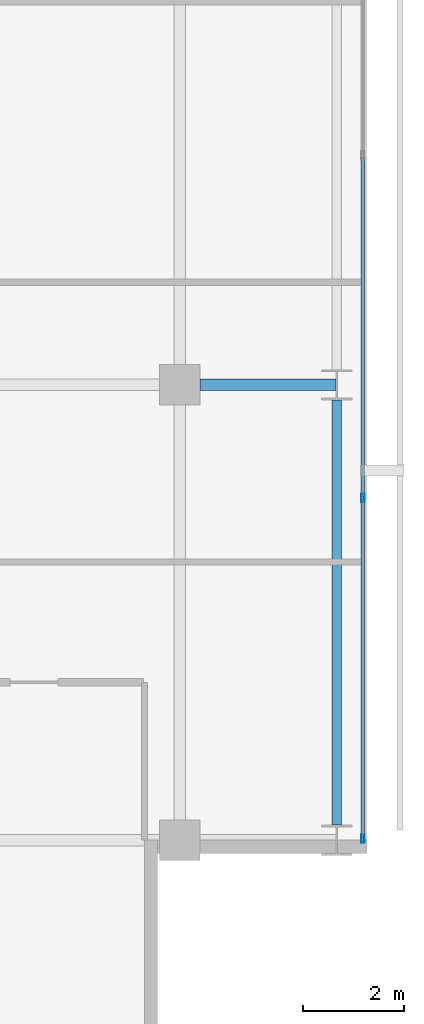
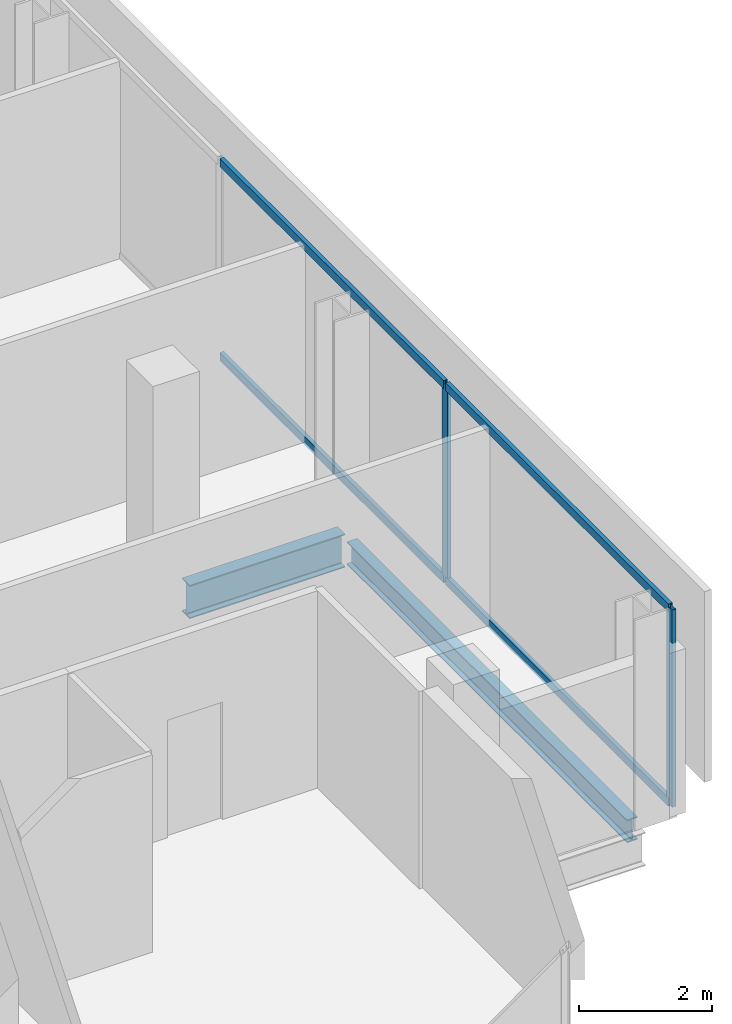
# One storey, part 15 of 33: 6 members, 2 beams, 1 element without a shape of its own.
"""IFC4 building model written with IfcOpenShell, lengths in metres."""

import ifcopenshell
import ifcopenshell.guid

model = None  # the IFC model being written
_history = None  # IfcOwnerHistory: only IFC2X3 demands one
_inside = {}  # id of a spatial element -> (the spatial element, [elements in it])
_under = {}  # id of a project, library or spatial element -> (it, [spatial elements below it])
_declared = {}  # id of a project -> (the project, [libraries it declares])
_typed = {}  # id of a type object -> (the type object, [elements of that type])
_made_of = {}  # id of a material, layer set ... -> (it, [elements and type objects made of it])


def new_model(schema):
    """Start an empty IFC model of exactly this schema.

    Asked for "IFC4X3", IfcOpenShell would pick the latest addendum, in which some entities
    have other attributes; the version numbers below select the first issue.
    IFC2X3 requires an IfcOwnerHistory on every rooted entity: one is made here for all.
    """
    global model, _history
    if schema == "IFC4X3":
        model = ifcopenshell.file(schema_version=(4, 3, 0, 0))
    else:
        model = ifcopenshell.file(schema=schema)
    _inside.clear()
    _under.clear()
    _declared.clear()
    _typed.clear()
    _made_of.clear()
    _history = None
    if model.schema == "IFC2X3":
        org = make("IfcOrganization", Name="unknown")
        user = make(
            "IfcPersonAndOrganization",
            ThePerson=make("IfcPerson", FamilyName="unknown"),
            TheOrganization=org,
        )
        app = make(
            "IfcApplication",
            ApplicationDeveloper=org,
            Version="unknown",
            ApplicationFullName="unknown",
            ApplicationIdentifier="unknown",
        )
        _history = make(
            "IfcOwnerHistory",
            OwningUser=user,
            OwningApplication=app,
            ChangeAction="ADDED",
            CreationDate=0,
        )
    return model


def make(cls, **values):
    """One entity of the class cls with the attributes given. An attribute that is None is left unset."""
    return model.create_entity(
        cls, **{name: value for name, value in values.items() if value is not None}
    )


def rooted(cls, **values):
    """An entity with a GlobalId (a new one), such as an element, a storey or a relation."""
    return make(cls, GlobalId=ifcopenshell.guid.new(), OwnerHistory=_history, **values)


def si_unit(unit_type, name, prefix=None):
    """IfcSIUnit, for example si_unit("LENGTHUNIT", "METRE", prefix="MILLI")."""
    return make("IfcSIUnit", UnitType=unit_type, Prefix=prefix, Name=name)


def assignment(units):
    """IfcUnitAssignment: the units of a project."""
    return None if units is None else make("IfcUnitAssignment", Units=units)


def point(xyz):
    """IfcCartesianPoint."""
    return None if xyz is None else make("IfcCartesianPoint", Coordinates=xyz)


def direction(xyz):
    """IfcDirection."""
    return None if xyz is None else make("IfcDirection", DirectionRatios=xyz)


def frame(location, z_axis=None, x_axis=None):
    """IfcAxis2Placement3D, a coordinate frame: its origin and axes. An axis left out is left unset."""
    return make(
        "IfcAxis2Placement3D",
        Location=point(location),
        Axis=direction(z_axis),
        RefDirection=direction(x_axis),
    )


def frame_2d(location, x_axis=None):
    """IfcAxis2Placement2D, a coordinate frame in the plane: its origin and x axis."""
    return make(
        "IfcAxis2Placement2D", Location=point(location), RefDirection=direction(x_axis)
    )


def origin():
    """The frame at (0, 0, 0) with its axes left unset."""
    return frame((0.0, 0.0, 0.0))


def origin_2d():
    """The frame at (0, 0) in the plane with its x axis left unset."""
    return frame_2d((0.0, 0.0))


def place(relative_to, where):
    """IfcLocalPlacement: puts the frame where relative to a parent placement (None: the world)."""
    return make(
        "IfcLocalPlacement", PlacementRelTo=relative_to, RelativePlacement=where
    )


def context(
    kind, dimensions, precision=None, world=None, true_north=None, identifier=None
):
    """IfcGeometricRepresentationContext, for example the 3D "Model" context."""
    return make(
        "IfcGeometricRepresentationContext",
        ContextIdentifier=identifier,
        ContextType=kind,
        CoordinateSpaceDimension=dimensions,
        Precision=precision,
        WorldCoordinateSystem=world,
        TrueNorth=true_north,
    )


def subcontext(parent, identifier, kind, view, scale=None):
    """IfcGeometricRepresentationSubContext, for example "Body" below "Model"."""
    return make(
        "IfcGeometricRepresentationSubContext",
        ContextIdentifier=identifier,
        ContextType=kind,
        ParentContext=parent,
        TargetScale=scale,
        TargetView=view,
    )


def project(units=None, contexts=None):
    """IfcProject with its units and contexts."""
    return rooted(
        "IfcProject",
        Name="project",
        RepresentationContexts=contexts,
        UnitsInContext=assignment(units),
    )


def spatial(cls, under=None, at=None, **own):
    """A site, building, storey or space (cls), placed at a placement, below another one or the project."""
    s = rooted(cls, ObjectPlacement=at, **own)
    if under is not None:
        _under.setdefault(under.id(), (under, []))[1].append(s)
    return s


def profile(cls, at=None, kind="AREA", **sizes):
    """A parametric profile (cls). Its sizes go by their IFC names, for example OverallWidth=200.0."""
    return make(cls, ProfileType=kind, Position=at, **sizes)


def hollow_rectangle(**sizes):
    """IfcRectangleHollowProfileDef."""
    return profile("IfcRectangleHollowProfileDef", **sizes)


def i_section(**sizes):
    """IfcIShapeProfileDef."""
    return profile("IfcIShapeProfileDef", **sizes)


def extrude(swept, where, along, depth):
    """IfcExtrudedAreaSolid: the profile swept, set in the frame where, extruded along a direction by depth."""
    return make(
        "IfcExtrudedAreaSolid",
        SweptArea=swept,
        Position=where,
        ExtrudedDirection=direction(along),
        Depth=depth,
    )


def shape(context_of_items, identifier, shape_type, items):
    """IfcShapeRepresentation: the items that make up one representation, for example the "Body"."""
    return make(
        "IfcShapeRepresentation",
        ContextOfItems=context_of_items,
        RepresentationIdentifier=identifier,
        RepresentationType=shape_type,
        Items=items,
    )


def material(Name=None, Category=None):
    """IfcMaterial."""
    return make("IfcMaterial", Name=Name, Category=Category)


def layer(
    of_material, thickness, ventilated=None, Name=None, Category=None, Priority=None
):
    """IfcMaterialLayer: one layer of a wall or slab, of a material (None: an air gap)."""
    return make(
        "IfcMaterialLayer",
        Material=of_material,
        LayerThickness=thickness,
        IsVentilated=ventilated,
        Name=Name,
        Category=Category,
        Priority=Priority,
    )


def layer_set(layers, Name=None):
    """IfcMaterialLayerSet."""
    return make("IfcMaterialLayerSet", MaterialLayers=layers, LayerSetName=Name)


def material_profile(
    of_material, cross_section, Name=None, Category=None, Priority=None
):
    """IfcMaterialProfile: a cross section and its material."""
    return make(
        "IfcMaterialProfile",
        Name=Name,
        Material=of_material,
        Profile=cross_section,
        Priority=Priority,
        Category=Category,
    )


def profile_set(profiles, Name=None, composite=None):
    """IfcMaterialProfileSet."""
    return make(
        "IfcMaterialProfileSet",
        Name=Name,
        MaterialProfiles=profiles,
        CompositeProfile=composite,
    )


def made_of(thing, what):
    """Note that an element or type object is made of a material, layer set ...; save() writes the relation."""
    if what is not None:
        _made_of.setdefault(what.id(), (what, []))[1].append(thing)
    return thing


def type_object(cls, material=None, **own):
    """A type object (cls), such as IfcWallType, which elements share."""
    return made_of(rooted(cls, **own), material)


def element(
    cls,
    number,
    at=None,
    inside=None,
    cuts=None,
    type_object=None,
    material=None,
    context=None,
    identifier="Body",
    shape_type=None,
    held_by="IfcProductDefinitionShape",
    body=None,
    shapes=None,
    **own,
):
    """One element of the class cls, such as IfcWall. Its Tag is "e" and its number.

    at: its placement. inside: the storey or other place that contains it. cuts: it is an
    opening in that element (IfcRelVoidsElement). A single representation is given by context,
    identifier, shape_type and body (its items); several are given by shapes. held_by: the class
    of the entity that holds the representations. save() writes the other relations.
    """
    e = rooted(cls, Tag="e%d" % number, ObjectPlacement=at, **own)
    if body is not None:
        shapes = [shape(context, identifier, shape_type, body)]
    if shapes is not None:
        e.Representation = make(held_by, Representations=shapes)
    if inside is not None:
        _inside.setdefault(inside.id(), (inside, []))[1].append(e)
    if cuts is not None:
        rooted(
            "IfcRelVoidsElement", RelatingBuildingElement=cuts, RelatedOpeningElement=e
        )
    if type_object is not None:
        _typed.setdefault(type_object.id(), (type_object, []))[1].append(e)
    return made_of(e, material)


def aggregate(whole, parts):
    """IfcRelAggregates: a whole, such as a stair, and the parts it consists of."""
    return rooted("IfcRelAggregates", RelatingObject=whole, RelatedObjects=parts)


def save(model, path):
    """Write the relations noted so far, then the file.

    IfcRelAggregates (storeys below a building ...), IfcRelContainedInSpatialStructure (elements
    in a storey), IfcRelDefinesByType, IfcRelAssociatesMaterial and IfcRelDeclares: one each for
    every whole, place, type object, material and project.
    """
    for whole, parts in _under.values():
        aggregate(whole, parts)
    for where, things in _inside.values():
        rooted(
            "IfcRelContainedInSpatialStructure",
            RelatedElements=things,
            RelatingStructure=where,
        )
    for kind, things in _typed.values():
        rooted("IfcRelDefinesByType", RelatedObjects=things, RelatingType=kind)
    for what, things in _made_of.values():
        rooted("IfcRelAssociatesMaterial", RelatedObjects=things, RelatingMaterial=what)
    for by, libraries in _declared.values():
        rooted("IfcRelDeclares", RelatingContext=by, RelatedDefinitions=libraries)
    model.write(path)


model = new_model("IFC4")

# Units and contexts
model_context = context("Model", 3, precision=1e-05, world=origin(), true_north=direction((0.0, 1.0)))
body_context = subcontext(model_context, "Body", "Model", "MODEL_VIEW")
ifc_project = project(units=[si_unit("LENGTHUNIT", "METRE"), si_unit("AREAUNIT", "SQUARE_METRE"), si_unit("VOLUMEUNIT", "CUBIC_METRE"), si_unit("PLANEANGLEUNIT", "RADIAN"), si_unit("MASSUNIT", "GRAM", prefix="KILO")], contexts=[model_context])

# Site, building, storey
site_placement = place(None, origin())
site = spatial("IfcSite", under=ifc_project, at=site_placement, CompositionType="ELEMENT")
building_placement = place(site_placement, origin())
building = spatial("IfcBuilding", under=site, at=building_placement, Name="Maruvema Waterfront Hotel and Observation Tower", CompositionType="ELEMENT")
storey_placement = place(building_placement, frame((0.0, 0.0, 150.5)))
storey = spatial("IfcBuildingStorey", under=building, at=storey_placement, Name="L36", CompositionType="ELEMENT", Elevation=150.5)

# Curtain wall, members
ifc_material_1 = material(Name="Anodised bronze aluminium and solar-control low-E IGU", Category="aluminium")
ifc_layer = layer(ifc_material_1, 0.159912109375, Name="Zone 2 Amber Inner Thermal Curtain Wall System CW-03")
ifc_layer_set = layer_set([ifc_layer], Name="Anodised bronze aluminium and solar-control low-E IGU")
curtain_wall_type = type_object("IfcCurtainWallType", Name="Zone 2 Amber Inner Thermal Curtain Wall System CW-03", PredefinedType="USERDEFINED", material=ifc_layer_set)
curtain_wall_placement = place(storey_placement, origin())
curtain_wall = element("IfcCurtainWall", 1, at=curtain_wall_placement, inside=storey, type_object=curtain_wall_type, Name="L36 Curtain Wall CW-L36-E", ObjectType="UNITISED CURTAIN WALL", PredefinedType="USERDEFINED")
ifc_material_2 = material(Name="Anodised architectural bronze aluminium", Category="aluminium")
ifc_material_profile_1 = material_profile(ifc_material_2, hollow_rectangle(XDim=0.070068359375, YDim=0.14990234375, WallThickness=0.00390625, at=origin_2d()), Name="ALU-T70x150")
ifc_profile_set_1 = profile_set([ifc_material_profile_1], Name="Anodised architectural bronze aluminium")
member_type_1 = type_object("IfcMemberType", Name="Curtain Wall Horizontal Transom ALU-T70x150", PredefinedType="USERDEFINED", material=ifc_profile_set_1)
member_1_placement = place(storey_placement, frame((62.419921875, 9.06005859375, 0.030029296875), z_axis=(0.0, 1.0, 0.0), x_axis=(-1.0, 0.0, 0.0)))
member_1 = element("IfcMember", 2, at=member_1_placement, type_object=member_type_1, Name="CW-03 transom 1.1", ObjectType="TRANSOM", PredefinedType="USERDEFINED", context=body_context, shape_type="SweptSolid", body=[
    extrude(hollow_rectangle(XDim=0.070068359375, YDim=0.14990234375, WallThickness=0.00390625, at=origin_2d()), origin(), (0.0, 0.0, 1.0), 6.676513671875),
])
member_2_placement = place(storey_placement, frame((62.419921875, 9.06005859375, 3.580078125), z_axis=(0.0, 1.0, 0.0), x_axis=(-1.0, 0.0, 0.0)))
member_2 = element("IfcMember", 3, at=member_2_placement, type_object=member_type_1, Name="CW-03 transom 1.2", ObjectType="TRANSOM", PredefinedType="USERDEFINED", context=body_context, shape_type="SweptSolid", body=[
    extrude(hollow_rectangle(XDim=0.070068359375, YDim=0.14990234375, WallThickness=0.00390625, at=origin_2d()), origin(), (0.0, 0.0, 1.0), 6.676513671875),
])
member_3_placement = place(storey_placement, frame((62.419921875, 15.796630859375, 0.030029296875), z_axis=(0.0, 1.0, 0.0), x_axis=(-1.0, 0.0, 0.0)))
member_3 = element("IfcMember", 4, at=member_3_placement, type_object=member_type_1, Name="CW-03 transom 2.1", ObjectType="TRANSOM", PredefinedType="USERDEFINED", context=body_context, shape_type="SweptSolid", body=[
    extrude(hollow_rectangle(XDim=0.070068359375, YDim=0.14990234375, WallThickness=0.00390625, at=origin_2d()), origin(), (0.0, 0.0, 1.0), 6.706787109375),
])
member_4_placement = place(storey_placement, frame((62.419921875, 15.796630859375, 3.580078125), z_axis=(0.0, 1.0, 0.0), x_axis=(-1.0, 0.0, 0.0)))
member_4 = element("IfcMember", 5, at=member_4_placement, type_object=member_type_1, Name="CW-03 transom 2.2", ObjectType="TRANSOM", PredefinedType="USERDEFINED", context=body_context, shape_type="SweptSolid", body=[
    extrude(hollow_rectangle(XDim=0.070068359375, YDim=0.14990234375, WallThickness=0.00390625, at=origin_2d()), origin(), (0.0, 0.0, 1.0), 6.706787109375),
])
ifc_material_3 = material(Name="Anodised architectural bronze aluminium", Category="aluminium")
ifc_material_profile_2 = material_profile(ifc_material_3, hollow_rectangle(XDim=0.06494140625, YDim=0.1650390625, WallThickness=0.00390625, at=origin_2d()), Name="ALU-M65x165")
ifc_profile_set_2 = profile_set([ifc_material_profile_2], Name="Anodised architectural bronze aluminium")
member_type_2 = type_object("IfcMemberType", Name="Curtain Wall Primary Mullion ALU-M65x165", PredefinedType="MULLION", material=ifc_profile_set_2)
member_5_placement = place(storey_placement, frame((62.419921875, 9.030029296875, 0.0), z_axis=(0.0, 0.0, 1.0), x_axis=(-1.0, 0.0, 0.0)))
member_5 = element("IfcMember", 6, at=member_5_placement, type_object=member_type_2, Name="CW-03 mullion 1", PredefinedType="MULLION", context=body_context, shape_type="SweptSolid", body=[
    extrude(hollow_rectangle(XDim=0.06494140625, YDim=0.1650390625, WallThickness=0.00390625, at=origin_2d()), origin(), (0.0, 0.0, 1.0), 3.610107421875),
])
member_6_placement = place(storey_placement, frame((62.419921875, 15.7666015625, 0.0), z_axis=(0.0, 0.0, 1.0), x_axis=(-1.0, 0.0, 0.0)))
member_6 = element("IfcMember", 7, at=member_6_placement, type_object=member_type_2, Name="CW-03 mullion 2", PredefinedType="MULLION", context=body_context, shape_type="SweptSolid", body=[
    extrude(hollow_rectangle(XDim=0.06494140625, YDim=0.1650390625, WallThickness=0.00390625, at=origin_2d()), origin(), (0.0, 0.0, 1.0), 3.610107421875),
])
aggregate(curtain_wall, [member_5, member_6, member_1, member_2, member_3, member_4])

# Beams
ifc_material_4 = material(Name="Steel ASTM A572 Grade 50", Category="steel")
ifc_material_profile_3 = material_profile(ifc_material_4, i_section(OverallWidth=0.180908203125, OverallDepth=0.4169921875, WebThickness=0.010986328125, FlangeThickness=0.018310546875, FilletRadius=0.014892578125, at=origin_2d()), Name="W410x85.0")
ifc_profile_set_3 = profile_set([ifc_material_profile_3], Name="Steel ASTM A572 Grade 50")
beam_type_1 = type_object("IfcBeamType", Name="Perimeter Spandrel Beam W410x85.0", PredefinedType="SPANDREL", material=ifc_profile_set_3)
beam_1_placement = place(storey_placement, frame((61.89990234375, 9.300048828125, -0.448486328125), z_axis=(0.0, 1.0, 0.0), x_axis=(-1.0, 0.0, 0.0)))
element("IfcBeam", 8, at=beam_1_placement, inside=storey, type_object=beam_type_1, Name="L36 Floor Girder NS-29", PredefinedType="SPANDREL", context=body_context, shape_type="SweptSolid", body=[
    extrude(i_section(OverallWidth=0.180908203125, OverallDepth=0.4169921875, WebThickness=0.010986328125, FlangeThickness=0.018310546875, FilletRadius=0.014892578125, at=origin_2d()), origin(), (0.0, 0.0, 1.0), 8.39990234375),
])
ifc_material_5 = material(Name="Steel ASTM A572 Grade 50", Category="steel")
ifc_material_profile_4 = material_profile(ifc_material_5, i_section(OverallWidth=0.22900390625, OverallDepth=0.612060546875, WebThickness=0.011962890625, FlangeThickness=0.01953125, FilletRadius=0.01806640625, at=origin_2d()), Name="W610x125.0")
ifc_profile_set_4 = profile_set([ifc_material_profile_4], Name="Steel ASTM A572 Grade 50")
beam_type_2 = type_object("IfcBeamType", Name="Primary Floor Girder W610x125.0", PredefinedType="BEAM", material=ifc_profile_set_4)
beam_2_placement = place(storey_placement, frame((59.199951171875, 18.0, -0.5458984375), z_axis=(1.0, 0.0, 0.0), x_axis=(0.0, 1.0, 0.0)))
element("IfcBeam", 9, at=beam_2_placement, inside=storey, type_object=beam_type_2, Name="L36 Floor Girder EW-17", PredefinedType="BEAM", context=body_context, shape_type="SweptSolid", body=[
    extrude(i_section(OverallWidth=0.22900390625, OverallDepth=0.612060546875, WebThickness=0.011962890625, FlangeThickness=0.01953125, FilletRadius=0.01806640625, at=origin_2d()), origin(), (0.0, 0.0, 1.0), 2.6875),
])

save(model, "model.ifc")
